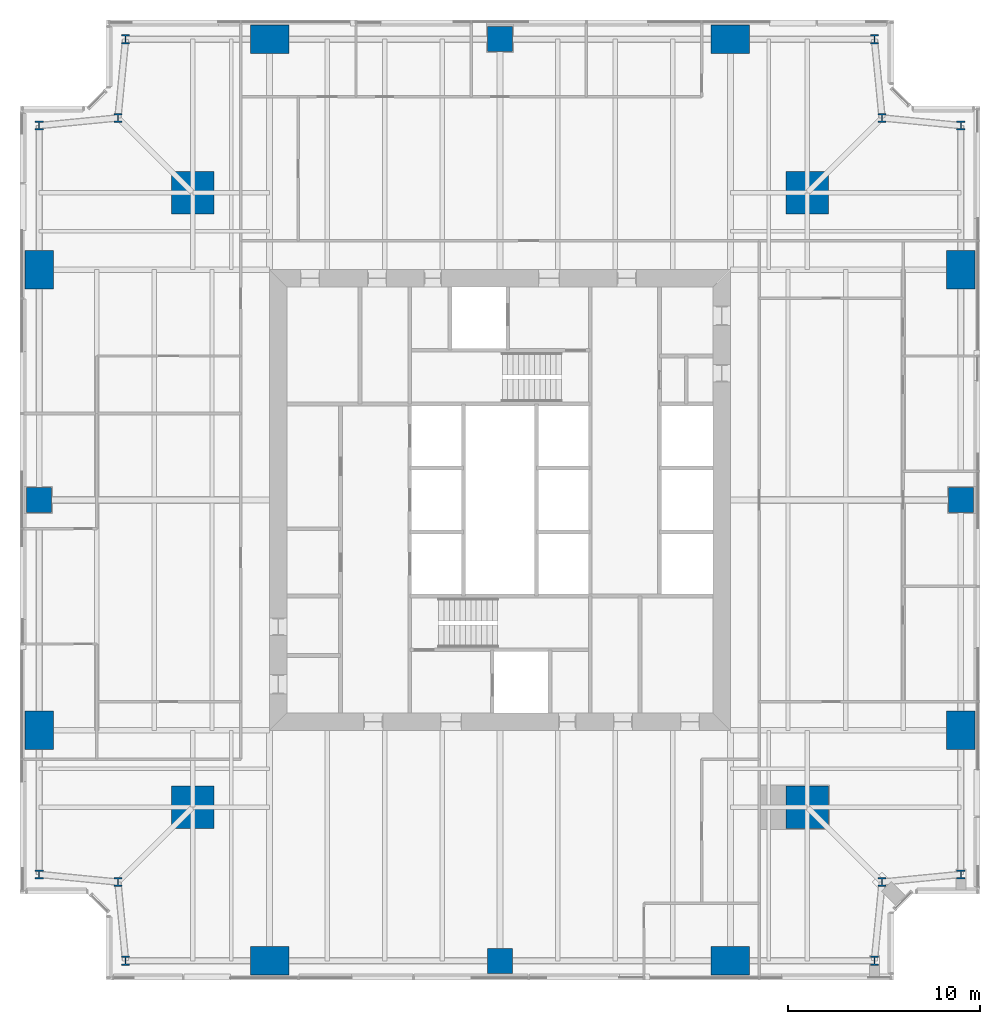
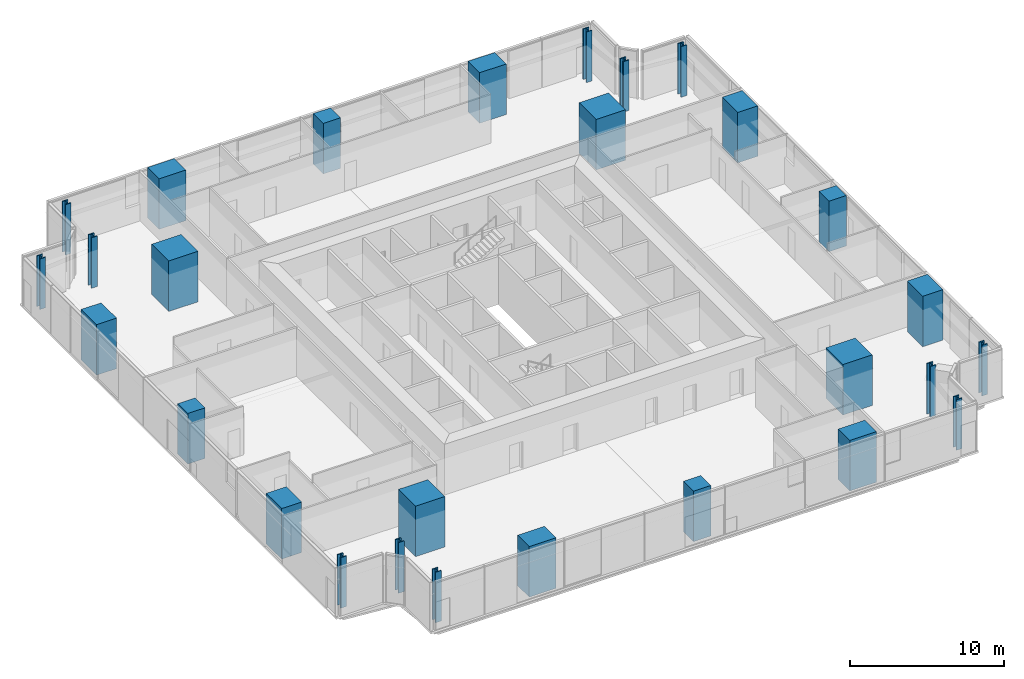
# One storey, part 1 of 13: 28 columns.
"""IFC4 building model written with IfcOpenShell, lengths in metres."""

from ifc_helpers import new_model, si_unit, direction, frame, origin, origin_2d, place, context, subcontext, project, spatial, rectangle, i_section, extrude, material, material_profile, profile_set, type_object, element, save


model = new_model("IFC4")

# Units and contexts
model_context = context("Model", 3, precision=1e-05, world=origin(), true_north=direction((0.0, 1.0)))
body_context = subcontext(model_context, "Body", "Model", "MODEL_VIEW")
ifc_project = project(units=[si_unit("LENGTHUNIT", "METRE"), si_unit("AREAUNIT", "SQUARE_METRE"), si_unit("VOLUMEUNIT", "CUBIC_METRE"), si_unit("PLANEANGLEUNIT", "RADIAN"), si_unit("MASSUNIT", "GRAM", prefix="KILO")], contexts=[model_context])

# Site, building, storey
site_placement = place(None, origin())
site = spatial("IfcSite", under=ifc_project, at=site_placement, CompositionType="ELEMENT")
building_placement = place(site_placement, origin())
building = spatial("IfcBuilding", under=site, at=building_placement, Name="Fenwick Lantern Interchange", CompositionType="ELEMENT")
storey_placement = place(building_placement, frame((0.0, 0.0, 138.39990234375)))
storey = spatial("IfcBuildingStorey", under=building, at=storey_placement, Name="L32", CompositionType="ELEMENT", Elevation=138.39990234375)

# Columns
ifc_material_1 = material(Name="Concrete f'c 70 MPa", Category="concrete")
ifc_material_profile_1 = material_profile(ifc_material_1, rectangle(XDim=2.199951171875, YDim=2.199951171875, at=origin_2d()), Name="RC2200X2200")
ifc_profile_set_1 = profile_set([ifc_material_profile_1], Name="Concrete f'c 70 MPa")
column_type_1 = type_object("IfcColumnType", Name="MEGA COLUMN RC2200X2200", PredefinedType="COLUMN", material=ifc_profile_set_1)
for number, where, z_axis, x_axis, name in (
    (1, (9.0, 9.0, 0.0), (0.0, 0.0, 1.0), (1.0, 0.0, 0.0), "L32/M1"),
    (2, (41.0, 9.0, 0.0), (0.0, 0.0, 1.0), (1.0, 0.0, 0.0), "L32/M2"),
    (3, (41.0, 41.0, 0.0), (0.0, 0.0, 1.0), (1.0, 0.0, 0.0), "L32/M3"),
    (4, (9.0, 41.0, 0.0), (0.0, 0.0, 1.0), (1.0, 0.0, 0.0), "L32/M4"),
):
    element("IfcColumn", number, at=place(storey_placement, frame(where, z_axis=z_axis, x_axis=x_axis)), inside=storey, type_object=column_type_1, Name=name, PredefinedType="COLUMN", context=body_context, shape_type="SweptSolid", body=[
        extrude(rectangle(XDim=2.199951171875, YDim=2.199951171875, at=origin_2d()), origin(), (0.0, 0.0, 1.0), 4.0),
    ])
ifc_material_profile_2 = material_profile(ifc_material_1, rectangle(XDim=1.300048828125, YDim=1.300048828125, at=origin_2d()), Name="RC1300X1300")
ifc_profile_set_2 = profile_set([ifc_material_profile_2], Name="Concrete f'c 70 MPa")
column_type_2 = type_object("IfcColumnType", Name="PERIMETER COLUMN RC1300X1300", PredefinedType="COLUMN", material=ifc_profile_set_2)
for number, where, z_axis, x_axis, name in (
    (5, (25.0, 1.0, 0.0), (0.0, 0.0, 1.0), (1.0, 0.0, 0.0), "L32/CS3"),
    (6, (49.0, 25.0, 0.0), (0.0, 0.0, 1.0), (1.0, 0.0, 0.0), "L32/CE3"),
    (7, (25.0, 49.0, 0.0), (0.0, 0.0, 1.0), (1.0, 0.0, 0.0), "L32/CN3"),
    (8, (1.0, 25.0, 0.0), (0.0, 0.0, 1.0), (1.0, 0.0, 0.0), "L32/CW3"),
):
    element("IfcColumn", number, at=place(storey_placement, frame(where, z_axis=z_axis, x_axis=x_axis)), inside=storey, type_object=column_type_2, Name=name, PredefinedType="COLUMN", context=body_context, shape_type="SweptSolid", body=[
        extrude(rectangle(XDim=1.300048828125, YDim=1.300048828125, at=origin_2d()), origin(), (0.0, 0.0, 1.0), 4.0),
    ])
ifc_material_profile_3 = material_profile(ifc_material_1, rectangle(XDim=1.5, YDim=2.0, at=origin_2d()), Name="RC1500X2000")
ifc_profile_set_3 = profile_set([ifc_material_profile_3], Name="Concrete f'c 70 MPa")
column_type_3 = type_object("IfcColumnType", Name="PERIMETER COLUMN RC1500X2000", PredefinedType="COLUMN", material=ifc_profile_set_3)
for number, where, z_axis, x_axis, name in (
    (9, (49.0, 13.0, 0.0), (0.0, 0.0, 1.0), (1.0, 0.0, 0.0), "L32/CE2"),
    (10, (49.0, 37.0, 0.0), (0.0, 0.0, 1.0), (1.0, 0.0, 0.0), "L32/CE4"),
    (11, (1.0, 37.0, 0.0), (0.0, 0.0, 1.0), (1.0, 0.0, 0.0), "L32/CW2"),
    (12, (1.0, 13.0, 0.0), (0.0, 0.0, 1.0), (1.0, 0.0, 0.0), "L32/CW4"),
):
    element("IfcColumn", number, at=place(storey_placement, frame(where, z_axis=z_axis, x_axis=x_axis)), inside=storey, type_object=column_type_3, Name=name, PredefinedType="COLUMN", context=body_context, shape_type="SweptSolid", body=[
        extrude(rectangle(XDim=1.5, YDim=2.0, at=origin_2d()), origin(), (0.0, 0.0, 1.0), 4.0),
    ])
ifc_material_profile_4 = material_profile(ifc_material_1, rectangle(XDim=2.0, YDim=1.5, at=origin_2d()), Name="RC2000X1500")
ifc_profile_set_4 = profile_set([ifc_material_profile_4], Name="Concrete f'c 70 MPa")
column_type_4 = type_object("IfcColumnType", Name="PERIMETER COLUMN RC2000X1500", PredefinedType="COLUMN", material=ifc_profile_set_4)
for number, where, z_axis, x_axis, name in (
    (13, (13.0, 1.0, 0.0), (0.0, 0.0, 1.0), (1.0, 0.0, 0.0), "L32/CS2"),
    (14, (37.0, 1.0, 0.0), (0.0, 0.0, 1.0), (1.0, 0.0, 0.0), "L32/CS4"),
    (15, (37.0, 49.0, 0.0), (0.0, 0.0, 1.0), (1.0, 0.0, 0.0), "L32/CN2"),
    (16, (13.0, 49.0, 0.0), (0.0, 0.0, 1.0), (1.0, 0.0, 0.0), "L32/CN4"),
):
    element("IfcColumn", number, at=place(storey_placement, frame(where, z_axis=z_axis, x_axis=x_axis)), inside=storey, type_object=column_type_4, Name=name, PredefinedType="COLUMN", context=body_context, shape_type="SweptSolid", body=[
        extrude(rectangle(XDim=2.0, YDim=1.5, at=origin_2d()), origin(), (0.0, 0.0, 1.0), 4.0),
    ])
ifc_material_2 = material(Name="Steel ASTM A992 Grade 50", Category="steel")
ifc_material_profile_5 = material_profile(ifc_material_2, i_section(OverallWidth=0.424072265625, OverallDepth=0.47509765625, WebThickness=0.0478515625, FlangeThickness=0.0771484375, at=origin_2d()), Name="W14X426")
ifc_profile_set_5 = profile_set([ifc_material_profile_5], Name="Steel ASTM A992 Grade 50")
column_type_5 = type_object("IfcColumnType", Name="PERIMETER COLUMN W14X426", PredefinedType="COLUMN", material=ifc_profile_set_5)
for number, where, z_axis, x_axis, name in (
    (17, (5.5, 1.0, 0.0), (0.0, 0.0, 1.0), (1.0, 0.0, 0.0), "L32/CS1"),
    (18, (44.5, 1.0, 0.0), (0.0, 0.0, 1.0), (1.0, 0.0, 0.0), "L32/CS5"),
    (19, (44.89990234375, 5.10009765625, 0.0), (0.0, 0.0, 1.0), (1.0, 0.0, 0.0), "L32/CSR"),
    (20, (49.0, 5.5, 0.0), (0.0, 0.0, 1.0), (1.0, 0.0, 0.0), "L32/CE1"),
    (21, (49.0, 44.5, 0.0), (0.0, 0.0, 1.0), (1.0, 0.0, 0.0), "L32/CE5"),
    (22, (44.89990234375, 44.89990234375, 0.0), (0.0, 0.0, 1.0), (1.0, 0.0, 0.0), "L32/CER"),
    (23, (44.5, 49.0, 0.0), (0.0, 0.0, 1.0), (1.0, 0.0, 0.0), "L32/CN1"),
    (24, (5.5, 49.0, 0.0), (0.0, 0.0, 1.0), (1.0, 0.0, 0.0), "L32/CN5"),
    (25, (5.10009765625, 44.89990234375, 0.0), (0.0, 0.0, 1.0), (1.0, 0.0, 0.0), "L32/CNR"),
    (26, (1.0, 44.5, 0.0), (0.0, 0.0, 1.0), (1.0, 0.0, 0.0), "L32/CW1"),
    (27, (1.0, 5.5, 0.0), (0.0, 0.0, 1.0), (1.0, 0.0, 0.0), "L32/CW5"),
    (28, (5.10009765625, 5.10009765625, 0.0), (0.0, 0.0, 1.0), (1.0, 0.0, 0.0), "L32/CWR"),
):
    element("IfcColumn", number, at=place(storey_placement, frame(where, z_axis=z_axis, x_axis=x_axis)), inside=storey, type_object=column_type_5, Name=name, PredefinedType="COLUMN", context=body_context, shape_type="SweptSolid", body=[
        extrude(i_section(OverallWidth=0.424072265625, OverallDepth=0.47509765625, WebThickness=0.0478515625, FlangeThickness=0.0771484375, at=origin_2d()), origin(), (0.0, 0.0, 1.0), 4.0),
    ])

save(model, "model.ifc")
